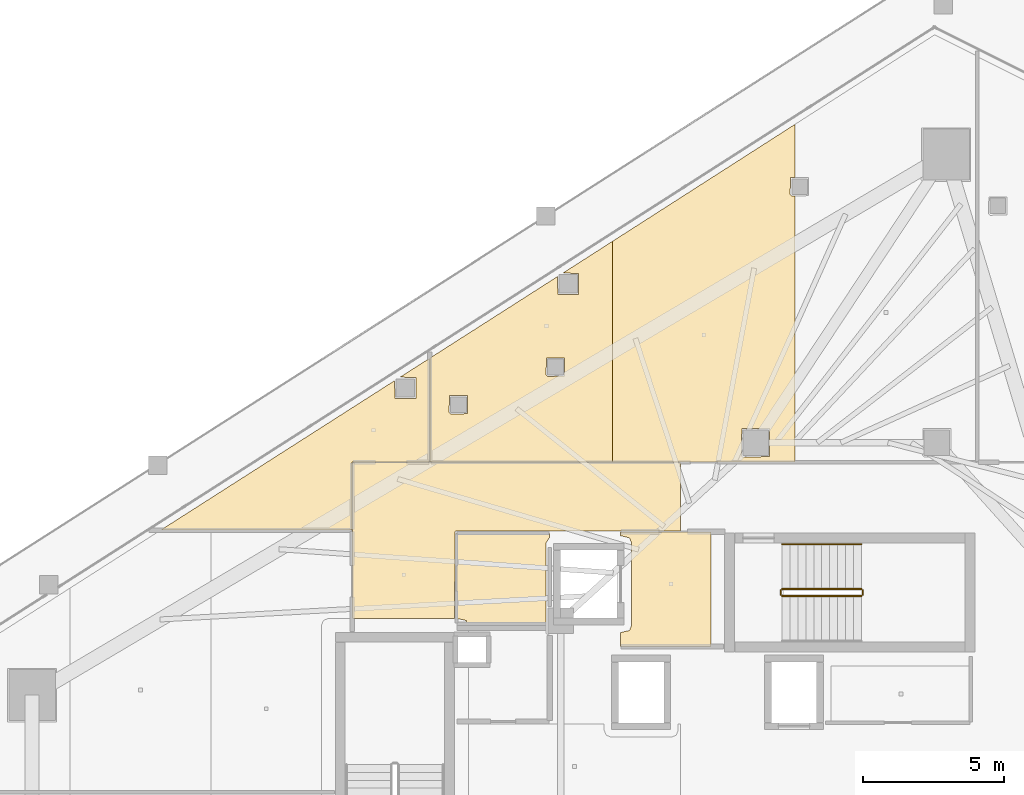
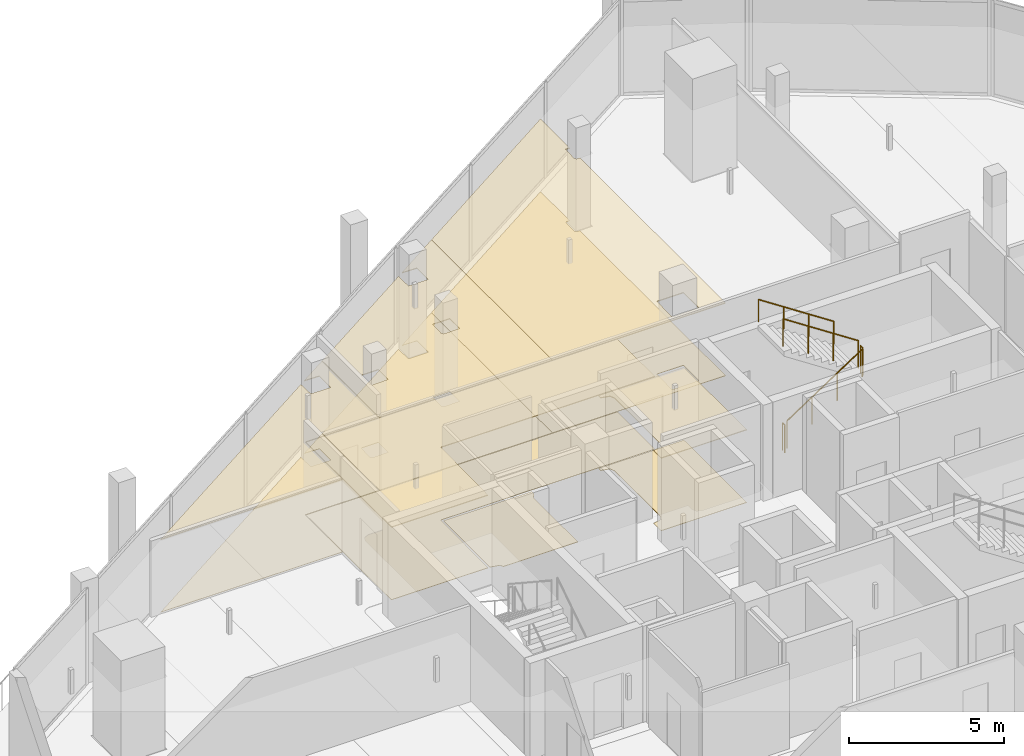
# One storey, part 29 of 30: 11 coverings, 5 railings.
"""IFC4 building model written with IfcOpenShell, lengths in metres."""

from ifc_helpers import new_model, si_unit, direction, frame, origin, origin_2d, place, context, subcontext, project, spatial, polyline, circle, outline, extrude, material, layer, layer_set, type_object, element, save


model = new_model("IFC4")

# Units and contexts
model_context = context("Model", 3, precision=1e-05, world=origin(), true_north=direction((0.0, 1.0)))
body_context = subcontext(model_context, "Body", "Model", "MODEL_VIEW")
ifc_project = project(units=[si_unit("LENGTHUNIT", "METRE"), si_unit("AREAUNIT", "SQUARE_METRE"), si_unit("VOLUMEUNIT", "CUBIC_METRE"), si_unit("PLANEANGLEUNIT", "RADIAN"), si_unit("MASSUNIT", "GRAM", prefix="KILO")], contexts=[model_context])

# Site, building, storey
site_placement = place(None, origin())
site = spatial("IfcSite", under=ifc_project, at=site_placement, CompositionType="ELEMENT")
building_placement = place(site_placement, origin())
building = spatial("IfcBuilding", under=site, at=building_placement, Name="Qorvath Tower", CompositionType="ELEMENT")
storey_placement = place(building_placement, frame((0.0, 0.0, 217.199951171875)))
storey = spatial("IfcBuildingStorey", under=building, at=storey_placement, Name="L50", CompositionType="ELEMENT", Elevation=217.199951171875)

# Coverings
ifc_material_1 = material(Name="Acoustic mineral fibre ceiling tile", Category="gypsum")
ifc_layer_1 = layer(ifc_material_1, 0.030029296875)
ifc_layer_set_1 = layer_set([ifc_layer_1], Name="COV-CEIL")
covering_type_1 = type_object("IfcCoveringType", Name="COV-CEIL", PredefinedType="CEILING", material=ifc_layer_set_1)
covering_1_placement = place(storey_placement, frame((0.0, 0.0, 2.85009765625)))
element("IfcCovering", 1, at=covering_1_placement, inside=storey, type_object=covering_type_1, Name="L50 Suspended Acoustic Ceiling 001", PredefinedType="CEILING", context=body_context, shape_type="SweptSolid", body=[
    extrude(outline(polyline([(-25.18994140625, 4.2548828125), (-25.18994140625, 8.294921875), (-28.375, 8.294921875), (-28.375, 8.159912109375), (-28.063232421875, 8.086669921875), (-27.989990234375, 7.909912109375), (-27.989990234375, 4.989990234375), (-28.063232421875, 4.813232421875), (-28.375, 4.739990234375), (-28.375, 4.2548828125), (-25.18994140625, 4.2548828125)])), origin(), (0.0, 0.0, 1.0), 0.030029296875),
])
covering_2_placement = place(storey_placement, frame((0.0, 0.0, 2.85009765625)))
element("IfcCovering", 2, at=covering_2_placement, inside=storey, type_object=covering_type_1, Name="L50 Suspended Acoustic Ceiling 010", PredefinedType="CEILING", context=body_context, shape_type="SweptSolid", body=[
    extrude(outline(polyline([(-26.2587890625, 8.324951171875), (-26.2587890625, 10.7451171875), (-37.844970703125, 10.7451171875), (-37.844970703125, 5.239990234375), (-34.2509765625, 5.239990234375), (-34.219970703125, 8.324951171875), (-26.2587890625, 8.324951171875)])), origin(), (0.0, 0.0, 1.0), 0.030029296875),
])
covering_3_placement = place(storey_placement, frame((0.0, 0.0, 2.85009765625)))
element("IfcCovering", 3, at=covering_3_placement, inside=storey, type_object=covering_type_1, Name="L50 Suspended Acoustic Ceiling 012", PredefinedType="CEILING", context=body_context, shape_type="SweptSolid", body=[
    extrude(outline(polyline([(-35.122314453125, 14.43359375), (-36.167236328125, 13.765869140625), (-35.61328125, 13.748291015625), (-35.61328125, 13.013427734375), (-36.34814453125, 13.013427734375), (-36.36572265625, 13.638916015625), (-44.63330078125, 8.35498046875), (-37.863037109375, 8.35498046875), (-37.861572265625, 10.761474609375), (-35.122314453125, 10.762939453125), (-35.122314453125, 14.43359375)])), origin(), (0.0, 0.0, 1.0), 0.030029296875),
])
covering_4_placement = place(storey_placement, frame((0.0, 0.0, 2.85009765625)))
element("IfcCovering", 4, at=covering_4_placement, inside=storey, type_object=covering_type_1, Name="L50 Suspended Acoustic Ceiling 013", PredefinedType="CEILING", context=body_context, shape_type="SweptSolid", body=[
    extrude(outline(polyline([(-28.660400390625, 10.762939453125), (-28.660400390625, 18.56689453125), (-30.41162109375, 17.444580078125), (-29.857421875, 17.427001953125), (-29.857421875, 16.692138671875), (-30.59228515625, 16.692138671875), (-30.60986328125, 17.317626953125), (-35.1044921875, 14.445068359375), (-35.1044921875, 10.762939453125), (-28.660400390625, 10.762939453125)]), holes=[polyline([(-31.01220703125, 13.849365234375), (-30.99462890625, 14.441650390625), (-30.35986328125, 14.441650390625), (-30.35986328125, 13.806884765625), (-30.9521484375, 13.789306640625), (-31.01220703125, 13.849365234375)]), polyline([(-34.439208984375, 12.517578125), (-34.421630859375, 13.10986328125), (-33.786865234375, 13.10986328125), (-33.786865234375, 12.47509765625), (-34.379150390625, 12.45751953125), (-34.439208984375, 12.517578125)])]), origin(), (0.0, 0.0, 1.0), 0.030029296875),
])
covering_5_placement = place(storey_placement, frame((0.0, 0.0, 2.85009765625)))
element("IfcCovering", 5, at=covering_5_placement, inside=storey, type_object=covering_type_1, Name="L50 Suspended Acoustic Ceiling 014", PredefinedType="CEILING", context=body_context, shape_type="SweptSolid", body=[
    extrude(outline(polyline([(-22.21630859375, 10.762939453125), (-22.21630859375, 20.163330078125), (-22.328125, 20.159912109375), (-22.38818359375, 20.219970703125), (-22.37060546875, 20.812255859375), (-22.21630859375, 20.812255859375), (-22.21630859375, 22.697021484375), (-28.660400390625, 18.56689453125), (-28.660400390625, 10.762939453125), (-22.21630859375, 10.762939453125)]), holes=[polyline([(-24.110107421875, 11.0), (-24.092529296875, 11.9423828125), (-23.107666015625, 11.9423828125), (-23.107666015625, 10.95751953125), (-24.050048828125, 10.93994140625), (-24.110107421875, 11.0)])]), origin(), (0.0, 0.0, 1.0), 0.030029296875),
])
ifc_material_2 = material(Name="Low-VOC modular carpet tile", Category="textile")
ifc_layer_2 = layer(ifc_material_2, 0.014892578125)
ifc_layer_set_2 = layer_set([ifc_layer_2], Name="COV-FLOOR-CPT")
covering_type_2 = type_object("IfcCoveringType", Name="COV-FLOOR-CPT", PredefinedType="FLOORING", material=ifc_layer_set_2)
covering_6_placement = place(storey_placement, origin())
element("IfcCovering", 6, at=covering_6_placement, inside=storey, type_object=covering_type_2, Name="L50 Floor Finish 012", PredefinedType="FLOORING", context=body_context, shape_type="SweptSolid", body=[
    extrude(outline(polyline([(-35.122314453125, 14.43359375), (-36.167236328125, 13.765869140625), (-35.61328125, 13.748291015625), (-35.61328125, 13.013427734375), (-36.34814453125, 13.013427734375), (-36.36572265625, 13.638916015625), (-44.63330078125, 8.35498046875), (-37.863037109375, 8.35498046875), (-37.861572265625, 10.761474609375), (-35.122314453125, 10.762939453125), (-35.122314453125, 14.43359375)])), origin(), (0.0, 0.0, 1.0), 0.01513671875),
])
covering_7_placement = place(storey_placement, origin())
element("IfcCovering", 7, at=covering_7_placement, inside=storey, type_object=covering_type_2, Name="L50 Floor Finish 013", PredefinedType="FLOORING", context=body_context, shape_type="SweptSolid", body=[
    extrude(outline(polyline([(-28.660400390625, 10.762939453125), (-28.660400390625, 18.56689453125), (-30.41162109375, 17.444580078125), (-29.857421875, 17.427001953125), (-29.857421875, 16.692138671875), (-30.59228515625, 16.692138671875), (-30.60986328125, 17.317626953125), (-35.1044921875, 14.445068359375), (-35.1044921875, 10.762939453125), (-28.660400390625, 10.762939453125)]), holes=[polyline([(-31.01220703125, 13.849365234375), (-30.99462890625, 14.441650390625), (-30.35986328125, 14.441650390625), (-30.35986328125, 13.806884765625), (-30.9521484375, 13.789306640625), (-31.01220703125, 13.849365234375)]), polyline([(-34.439208984375, 12.517578125), (-34.421630859375, 13.10986328125), (-33.786865234375, 13.10986328125), (-33.786865234375, 12.47509765625), (-34.379150390625, 12.45751953125), (-34.439208984375, 12.517578125)])]), origin(), (0.0, 0.0, 1.0), 0.01513671875),
])
covering_8_placement = place(storey_placement, origin())
element("IfcCovering", 8, at=covering_8_placement, inside=storey, type_object=covering_type_2, Name="L50 Floor Finish 014", PredefinedType="FLOORING", context=body_context, shape_type="SweptSolid", body=[
    extrude(outline(polyline([(-22.21630859375, 10.762939453125), (-22.21630859375, 20.163330078125), (-22.328125, 20.159912109375), (-22.38818359375, 20.219970703125), (-22.37060546875, 20.812255859375), (-22.21630859375, 20.812255859375), (-22.21630859375, 22.697021484375), (-28.660400390625, 18.56689453125), (-28.660400390625, 10.762939453125), (-22.21630859375, 10.762939453125)]), holes=[polyline([(-24.110107421875, 11.0), (-24.092529296875, 11.9423828125), (-23.107666015625, 11.9423828125), (-23.107666015625, 10.95751953125), (-24.050048828125, 10.93994140625), (-24.110107421875, 11.0)])]), origin(), (0.0, 0.0, 1.0), 0.01513671875),
])
ifc_material_3 = material(Name="Polished epoxy terrazzo flooring", Category="concrete")
ifc_layer_3 = layer(ifc_material_3, 0.02001953125)
ifc_layer_set_3 = layer_set([ifc_layer_3], Name="COV-FLOOR-TRZ")
covering_type_3 = type_object("IfcCoveringType", Name="COV-FLOOR-TRZ", PredefinedType="FLOORING", material=ifc_layer_set_3)
covering_9_placement = place(storey_placement, origin())
element("IfcCovering", 9, at=covering_9_placement, inside=storey, type_object=covering_type_3, Name="L50 Floor Finish 001", PredefinedType="FLOORING", context=body_context, shape_type="SweptSolid", body=[
    extrude(outline(polyline([(-25.18994140625, 4.2548828125), (-25.18994140625, 8.294921875), (-28.375, 8.294921875), (-28.375, 8.159912109375), (-28.063232421875, 8.086669921875), (-27.989990234375, 7.909912109375), (-27.989990234375, 4.989990234375), (-28.063232421875, 4.813232421875), (-28.375, 4.739990234375), (-28.375, 4.2548828125), (-25.18994140625, 4.2548828125)])), origin(), (0.0, 0.0, 1.0), 0.01513671875),
])
covering_10_placement = place(storey_placement, origin())
element("IfcCovering", 10, at=covering_10_placement, inside=storey, type_object=covering_type_3, Name="L50 Floor Finish 005", PredefinedType="FLOORING", context=body_context, shape_type="SweptSolid", body=[
    extrude(outline(polyline([(-31.010009765625, 5.054931640625), (-31.010009765625, 7.909912109375), (-30.885009765625, 8.108154296875), (-30.885009765625, 8.2451171875), (-34.175048828125, 8.2451171875), (-34.175048828125, 5.239990234375), (-33.833251953125, 5.166748046875), (-33.786865234375, 5.054931640625), (-31.010009765625, 5.054931640625)])), origin(), (0.0, 0.0, 1.0), 0.01513671875),
])
covering_11_placement = place(storey_placement, origin())
element("IfcCovering", 11, at=covering_11_placement, inside=storey, type_object=covering_type_3, Name="L50 Floor Finish 010", PredefinedType="FLOORING", context=body_context, shape_type="SweptSolid", body=[
    extrude(outline(polyline([(-26.2587890625, 8.324951171875), (-26.2587890625, 10.7451171875), (-37.844970703125, 10.7451171875), (-37.844970703125, 5.239990234375), (-34.2509765625, 5.239990234375), (-34.219970703125, 8.324951171875), (-26.2587890625, 8.324951171875)])), origin(), (0.0, 0.0, 1.0), 0.01513671875),
])

# Railings
ifc_material_4 = material(Name="Painted galvanised steel", Category="steel")
railing_type_1 = type_object("IfcRailingType", Name="RL-STR-GRD", PredefinedType="GUARDRAIL", material=ifc_material_4)
railing_1_placement = place(storey_placement, frame((-22.669921875, 6.030029296875, 0.18408203125)))
element("IfcRailing", 12, at=railing_1_placement, inside=storey, type_object=railing_type_1, Name="L50 TS1 stair guard 1", PredefinedType="GUARDRAIL", context=body_context, shape_type="SweptSolid", body=[
    extrude(circle(Radius=0.02392578125, at=origin_2d()), frame((0.0, 0.0, 1.076171875), z_axis=(0.835542071712, 0.0, 0.549426470421), x_axis=(0.0, 1.0, 0.0)), (0.0, 0.0, 1.0), 3.350830078125),
    extrude(circle(Radius=0.02099609375, at=origin_2d()), origin(), (0.0, 0.0, 1.0), 1.052001953125),
    extrude(circle(Radius=0.02099609375, at=origin_2d()), frame((0.933349609375, 0.0, 0.61376953125)), (0.0, 0.0, 1.0), 1.052001953125),
    extrude(circle(Radius=0.02099609375, at=origin_2d()), frame((1.866455078125, 0.0, 1.227294921875)), (0.0, 0.0, 1.0), 1.052001953125),
    extrude(circle(Radius=0.02099609375, at=origin_2d()), frame((2.7998046875, 0.0, 1.841064453125)), (0.0, 0.0, 1.0), 1.052001953125),
])
railing_2_placement = place(storey_placement, frame((-19.820068359375, 6.080078125, 2.025146484375)))
element("IfcRailing", 13, at=railing_2_placement, inside=storey, type_object=railing_type_1, Name="L50 TS1 stair guard 2", PredefinedType="GUARDRAIL", context=body_context, shape_type="SweptSolid", body=[
    extrude(circle(Radius=0.02392578125, at=origin_2d()), frame((0.0, 0.0, 1.076171875), z_axis=(0.0, 1.0, 0.0), x_axis=(-1.0, 0.0, 0.0)), (0.0, 0.0, 1.0), 0.14990234375),
    extrude(circle(Radius=0.02099609375, at=origin_2d()), origin(), (0.0, 0.0, 1.0), 1.052001953125),
    extrude(circle(Radius=0.02099609375, at=origin_2d()), frame((0.0, 0.14990234375, 0.0)), (0.0, 0.0, 1.0), 1.052001953125),
])
railing_3_placement = place(storey_placement, frame((-19.8701171875, 6.280029296875, 2.209228515625)))
element("IfcRailing", 14, at=railing_3_placement, inside=storey, type_object=railing_type_1, Name="L50 TS1 stair guard 3", PredefinedType="GUARDRAIL", context=body_context, shape_type="SweptSolid", body=[
    extrude(circle(Radius=0.02392578125, at=origin_2d()), frame((0.0, 0.0, 1.076171875), z_axis=(-0.835575518608, 0.0, 0.549375602573), x_axis=(0.0, -1.0, 0.0)), (0.0, 0.0, 1.0), 3.350830078125),
    extrude(circle(Radius=0.02099609375, at=origin_2d()), origin(), (0.0, 0.0, 1.0), 1.052001953125),
    extrude(circle(Radius=0.02099609375, at=origin_2d()), frame((-0.933349609375, 0.0, 0.613525390625)), (0.0, 0.0, 1.0), 1.052001953125),
    extrude(circle(Radius=0.02099609375, at=origin_2d()), frame((-1.866455078125, 0.0, 1.227294921875)), (0.0, 0.0, 1.0), 1.052001953125),
    extrude(circle(Radius=0.02099609375, at=origin_2d()), frame((-2.7998046875, 0.0, 1.8408203125)), (0.0, 0.0, 1.0), 1.052001953125),
])
railing_4_placement = place(storey_placement, frame((-22.719970703125, 6.080078125, 0.0)))
element("IfcRailing", 15, at=railing_4_placement, inside=storey, type_object=railing_type_1, Name="L50 TS1 stair guard 4", PredefinedType="GUARDRAIL", context=body_context, shape_type="SweptSolid", body=[
    extrude(circle(Radius=0.02392578125, at=origin_2d()), frame((0.0, 0.0, 1.076171875), z_axis=(0.0, 1.0, 0.0), x_axis=(-1.0, 0.0, 0.0)), (0.0, 0.0, 1.0), 0.14990234375),
    extrude(circle(Radius=0.02099609375, at=origin_2d()), origin(), (0.0, 0.0, 1.0), 1.052001953125),
    extrude(circle(Radius=0.02099609375, at=origin_2d()), frame((0.0, 0.14990234375, 0.0)), (0.0, 0.0, 1.0), 1.052001953125),
])
ifc_material_5 = material(Name="Brushed stainless steel AISI 304", Category="steel")
railing_type_2 = type_object("IfcRailingType", Name="RL-STR-HND", PredefinedType="HANDRAIL", material=ifc_material_5)
railing_5_placement = place(storey_placement, frame((-19.8701171875, 7.860107421875, 2.209228515625)))
element("IfcRailing", 16, at=railing_5_placement, inside=storey, type_object=railing_type_2, Name="L50 TS1 stair handrail 2", PredefinedType="HANDRAIL", context=body_context, shape_type="SweptSolid", body=[
    extrude(circle(Radius=0.02392578125, at=origin_2d()), frame((0.0, 0.0, 0.8759765625), z_axis=(-0.835575518608, 0.0, 0.549375602573), x_axis=(0.0, -1.0, 0.0)), (0.0, 0.0, 1.0), 3.350830078125),
    extrude(circle(Radius=0.02099609375, at=origin_2d()), origin(), (0.0, 0.0, 1.0), 0.851806640625),
    extrude(circle(Radius=0.02099609375, at=origin_2d()), frame((-0.933349609375, 0.0, 0.613525390625)), (0.0, 0.0, 1.0), 0.851806640625),
    extrude(circle(Radius=0.02099609375, at=origin_2d()), frame((-1.866455078125, 0.0, 1.227294921875)), (0.0, 0.0, 1.0), 0.851806640625),
    extrude(circle(Radius=0.02099609375, at=origin_2d()), frame((-2.7998046875, 0.0, 1.8408203125)), (0.0, 0.0, 1.0), 0.851806640625),
])

save(model, "model.ifc")
